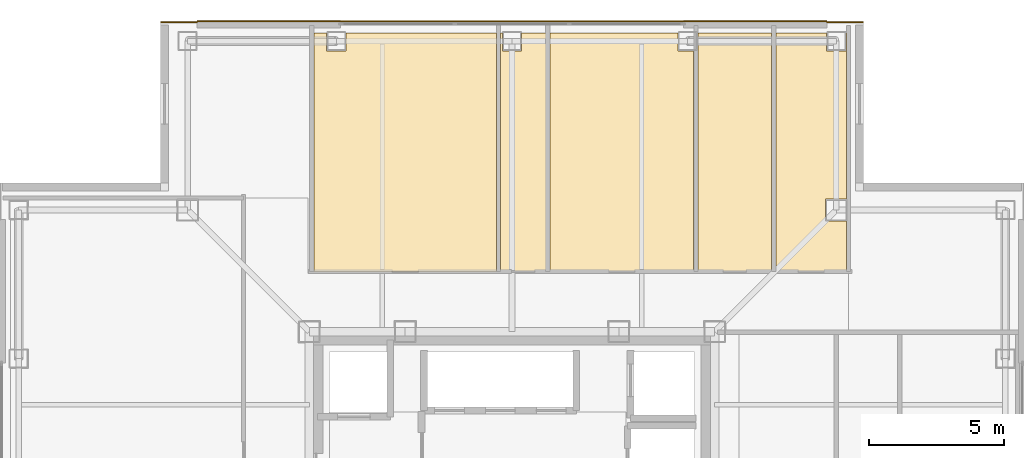
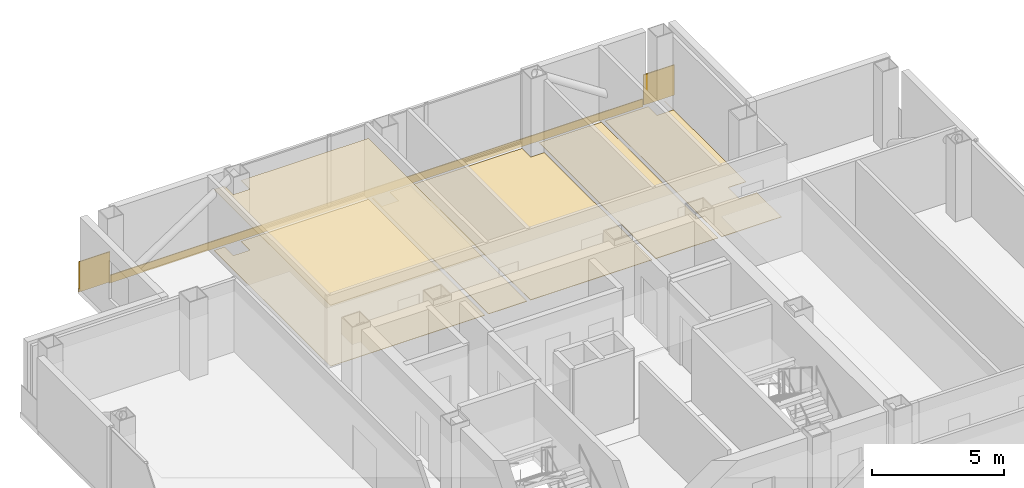
# One storey, part 16 of 16: 9 coverings.
"""IFC4 building model written with IfcOpenShell, lengths in metres."""

from ifc_helpers import new_model, si_unit, direction, frame, frame_2d, origin, place, context, subcontext, project, spatial, polyline, rectangle, outline, extrude, material, layer, layer_set, type_object, element, save


model = new_model("IFC4")

# Units and contexts
model_context = context("Model", 3, precision=1e-05, world=origin(), true_north=direction((0.0, 1.0)))
body_context = subcontext(model_context, "Body", "Model", "MODEL_VIEW")
ifc_project = project(units=[si_unit("LENGTHUNIT", "METRE"), si_unit("AREAUNIT", "SQUARE_METRE"), si_unit("VOLUMEUNIT", "CUBIC_METRE"), si_unit("PLANEANGLEUNIT", "RADIAN"), si_unit("MASSUNIT", "GRAM", prefix="KILO")], contexts=[model_context])

# Site, building, storey
site_placement = place(None, origin())
site = spatial("IfcSite", under=ifc_project, at=site_placement, CompositionType="ELEMENT")
building_placement = place(site_placement, origin())
building = spatial("IfcBuilding", under=site, at=building_placement, Name="Trevonay Congress Spire", CompositionType="ELEMENT")
storey_placement = place(building_placement, frame((0.0, 0.0, 246.800048828125)))
storey = spatial("IfcBuildingStorey", under=building, at=storey_placement, Name="L64", CompositionType="ELEMENT", Elevation=246.800048828125)

# Coverings
ifc_material_1 = material(Name="Acoustic Mineral Fibre Board", Category="gypsum")
ifc_layer_1 = layer(ifc_material_1, 0.02490234375, Name="Acoustic Mineral Fibre Board")
ifc_layer_set_1 = layer_set([ifc_layer_1], Name="Acoustic Mineral Fibre Board")
covering_type_1 = type_object("IfcCoveringType", Name="COV-CEIL-ACOUSTIC", PredefinedType="CEILING", material=ifc_layer_set_1)
covering_1_placement = place(storey_placement, frame((0.0, 0.0, 2.81005859375)))
element("IfcCovering", 1, at=covering_1_placement, inside=storey, type_object=covering_type_1, Name="L64 Simultaneous Translation Office acoustic suspended ceiling", PredefinedType="CEILING", context=body_context, shape_type="SweptSolid", body=[
    extrude(outline(polyline([(-0.580078125, 18.550048828125), (-0.580078125, 9.72998046875), (-7.320068359375, 9.72998046875), (-7.320068359375, 18.550048828125), (-6.860107421875, 18.550048828125), (-6.860107421875, 17.889892578125), (-6.139892578125, 17.889892578125), (-6.139892578125, 18.550048828125), (-0.580078125, 18.550048828125)])), origin(), (0.0, 0.0, 1.0), 0.02490234375),
])
ifc_material_2 = material(Name="Polished Granite Floor Tile", Category="masonry")
ifc_layer_2 = layer(ifc_material_2, 0.02001953125, Name="Polished Granite Floor Tile")
ifc_layer_set_2 = layer_set([ifc_layer_2], Name="Polished Granite Floor Tile")
covering_type_2 = type_object("IfcCoveringType", Name="COV-FLOOR-STONE", PredefinedType="FLOORING", material=ifc_layer_set_2)
covering_2_placement = place(storey_placement, origin())
element("IfcCovering", 2, at=covering_2_placement, inside=storey, type_object=covering_type_2, Name="L64 Accessible WC floor finish", PredefinedType="FLOORING", context=body_context, shape_type="SweptSolid", body=[
    extrude(outline(polyline([(1.25, 18.550048828125), (1.25, 9.72998046875), (-0.419921875, 9.72998046875), (-0.419921875, 18.550048828125), (-0.360107421875, 18.550048828125), (-0.360107421875, 17.889892578125), (0.360107421875, 17.889892578125), (0.360107421875, 18.550048828125), (1.25, 18.550048828125)])), origin(), (0.0, 0.0, 1.0), 0.02001953125),
])
covering_3_placement = place(storey_placement, origin())
element("IfcCovering", 3, at=covering_3_placement, inside=storey, type_object=covering_type_2, Name="L64 Floor Supplies and Copy Room floor finish", PredefinedType="FLOORING", context=body_context, shape_type="SweptSolid", body=[
    extrude(outline(polyline([(6.719970703125, 9.72998046875), (1.409912109375, 9.72998046875), (1.409912109375, 18.550048828125), (6.139892578125, 18.550048828125), (6.139892578125, 17.889892578125), (6.719970703125, 17.889892578125), (6.719970703125, 9.72998046875)])), origin(), (0.0, 0.0, 1.0), 0.02001953125),
])
covering_4_placement = place(storey_placement, origin())
element("IfcCovering", 4, at=covering_4_placement, inside=storey, type_object=covering_type_2, Name="L64 Female Restroom WC floor finish", PredefinedType="FLOORING", context=body_context, shape_type="SweptSolid", body=[
    extrude(outline(polyline([(6.8798828125, 9.72998046875), (9.60009765625, 9.72998046875), (9.60009765625, 18.550048828125), (6.8798828125, 18.550048828125), (6.8798828125, 9.72998046875)])), origin(), (0.0, 0.0, 1.0), 0.02001953125),
])
covering_5_placement = place(storey_placement, origin())
element("IfcCovering", 5, at=covering_5_placement, inside=storey, type_object=covering_type_2, Name="L64 Floor Supplies and Copy Room floor finish", PredefinedType="FLOORING", context=body_context, shape_type="SweptSolid", body=[
    extrude(outline(polyline([(12.3701171875, 9.72998046875), (9.760009765625, 9.72998046875), (9.760009765625, 18.550048828125), (11.639892578125, 18.550048828125), (11.639892578125, 17.889892578125), (12.360107421875, 17.889892578125), (12.360107421875, 18.550048828125), (12.3701171875, 18.550048828125), (12.3701171875, 12.409912109375), (11.590087890625, 12.409912109375), (11.590087890625, 11.590087890625), (12.3701171875, 11.590087890625), (12.3701171875, 9.72998046875)])), origin(), (0.0, 0.0, 1.0), 0.02001953125),
])
ifc_material_3 = material(Name="Engineered Oak Flooring", Category="wood")
ifc_layer_3 = layer(ifc_material_3, 0.01806640625, Name="Engineered Oak Flooring")
ifc_layer_set_3 = layer_set([ifc_layer_3], Name="Engineered Oak Flooring")
covering_type_3 = type_object("IfcCoveringType", Name="COV-FLOOR-TIMBER", PredefinedType="FLOORING", material=ifc_layer_set_3)
covering_6_placement = place(storey_placement, origin())
element("IfcCovering", 6, at=covering_6_placement, inside=storey, type_object=covering_type_3, Name="L64 Simultaneous Translation Office floor finish", PredefinedType="FLOORING", context=body_context, shape_type="SweptSolid", body=[
    extrude(outline(polyline([(-0.580078125, 18.550048828125), (-0.580078125, 9.72998046875), (-7.320068359375, 9.72998046875), (-7.320068359375, 18.550048828125), (-6.860107421875, 18.550048828125), (-6.860107421875, 17.889892578125), (-6.139892578125, 17.889892578125), (-6.139892578125, 18.550048828125), (-0.580078125, 18.550048828125)])), origin(), (0.0, 0.0, 1.0), 0.01806640625),
])
ifc_material_4 = material(Name="Pale Anodised Aluminium EN AW-6063-T6", Category="aluminium")
ifc_layer_4 = layer(ifc_material_4, 0.0400390625, Name="Pale Anodised Aluminium EN AW-6063-T6")
ifc_layer_set_4 = layer_set([ifc_layer_4], Name="Pale Anodised Aluminium EN AW-6063-T6")
covering_type_4 = type_object("IfcCoveringType", Name="COV-SPANDREL-PALE-METAL", PredefinedType="CLADDING", material=ifc_layer_set_4)
covering_7_placement = place(storey_placement, frame((-11.64990234375, 18.97998046875, -0.239990234375), z_axis=(0.0, 0.0, 1.0), x_axis=(1.0, 0.0, 0.0)))
element("IfcCovering", 7, at=covering_7_placement, inside=storey, type_object=covering_type_4, Name="L64 N pale-metal slab-edge spandrel cladding", PredefinedType="CLADDING", context=body_context, shape_type="SweptSolid", body=[
    extrude(rectangle(XDim=23.2998046875, YDim=0.0400390625, at=frame_2d((11.64990234375, 0.0))), origin(), (0.0, 0.0, 1.0), 0.35986328125),
])
for number, where, z_axis, x_axis, name in (
    (8, (11.64990234375, 18.93994140625, -0.150146484375), (0.0, 0.0, 1.0), (1.0, 0.0, 0.0), "L64 NE corner pier spandrel cladding 2"),
    (9, (-11.64990234375, 18.93994140625, -0.150146484375), (0.0, 0.0, 1.0), (-1.0, 0.0, 0.0), "L64 NW corner pier spandrel cladding 2"),
):
    element("IfcCovering", number, at=place(storey_placement, frame(where, z_axis=z_axis, x_axis=x_axis)), inside=storey, type_object=covering_type_4, Name=name, PredefinedType="CLADDING", context=body_context, shape_type="SweptSolid", body=[
        extrude(rectangle(XDim=1.35009765625, YDim=0.0400390625, at=frame_2d((0.675048828125, 0.0))), origin(), (0.0, 0.0, 1.0), 1.400146484375),
    ])

save(model, "model.ifc")
